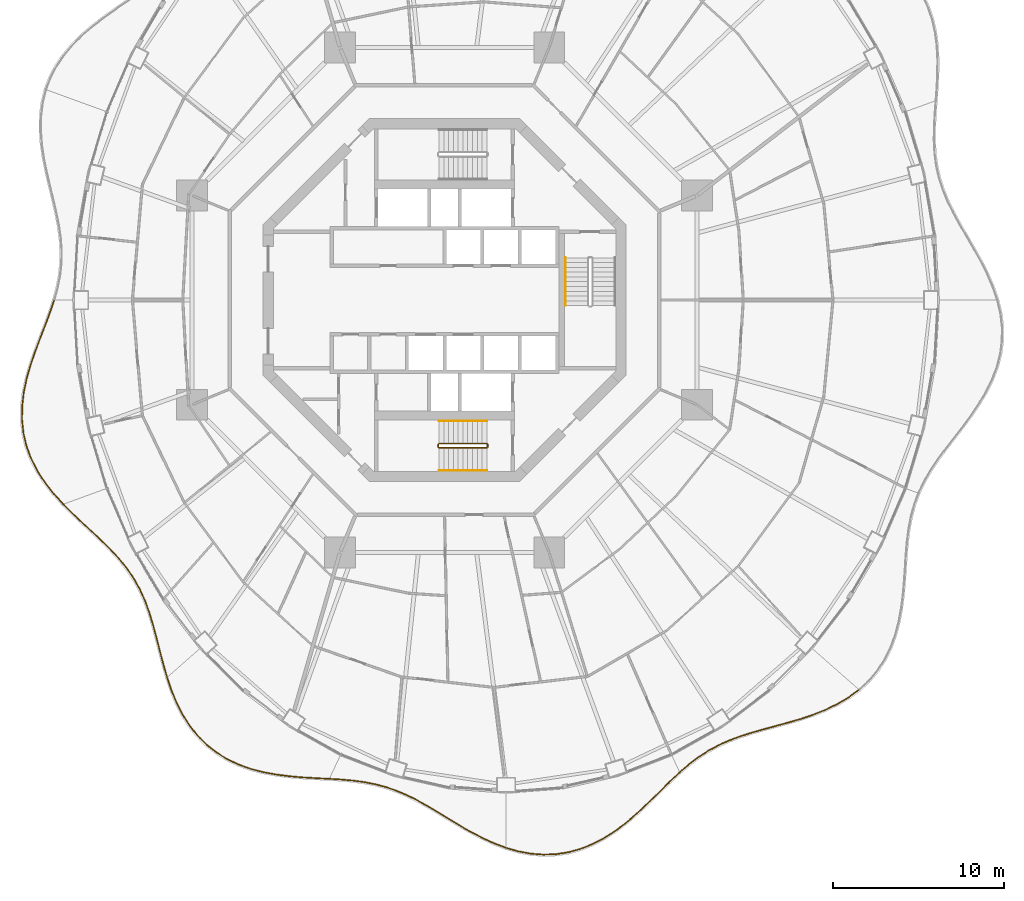
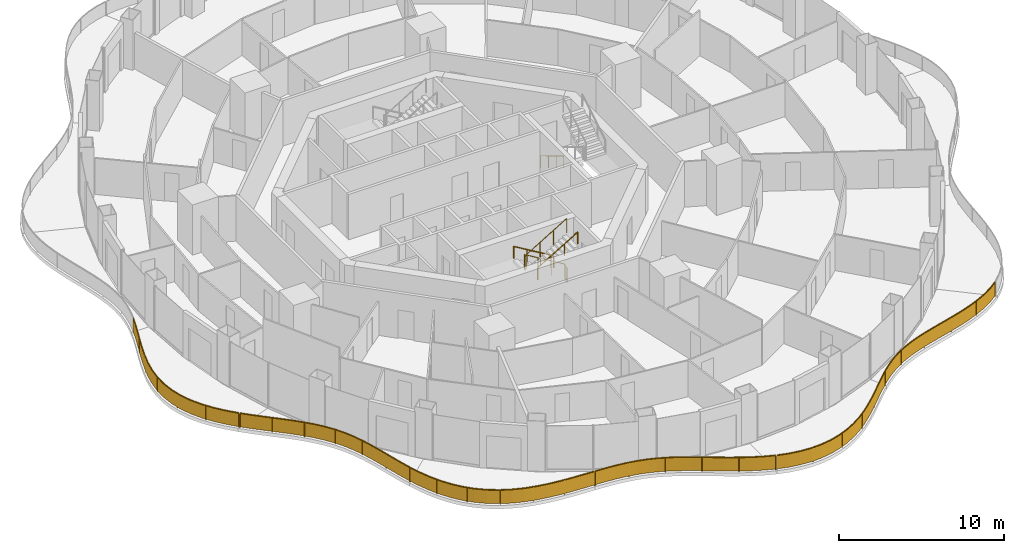
# One storey, part 17 of 19: 10 railings.
"""IFC4 building model written with IfcOpenShell, lengths in metres."""

from ifc_helpers import new_model, si_unit, direction, frame, origin, origin_2d, place, context, subcontext, project, spatial, polyline, rectangle, circle, outline, extrude, material, type_object, element, save


model = new_model("IFC4")

# Units and contexts
model_context = context("Model", 3, precision=1e-05, world=origin(), true_north=direction((0.0, 1.0)))
body_context = subcontext(model_context, "Body", "Model", "MODEL_VIEW")
ifc_project = project(units=[si_unit("LENGTHUNIT", "METRE"), si_unit("AREAUNIT", "SQUARE_METRE"), si_unit("VOLUMEUNIT", "CUBIC_METRE"), si_unit("PLANEANGLEUNIT", "RADIAN"), si_unit("MASSUNIT", "GRAM", prefix="KILO")], contexts=[model_context])

# Site, building, storey
site_placement = place(None, origin())
site = spatial("IfcSite", under=ifc_project, at=site_placement, CompositionType="ELEMENT")
building_placement = place(site_placement, origin())
building = spatial("IfcBuilding", under=site, at=building_placement, Name="Nagisa Residences", CompositionType="ELEMENT")
storey_placement = place(building_placement, frame((0.0, 0.0, 202.89990234375)))
storey = spatial("IfcBuildingStorey", under=building, at=storey_placement, Name="L51", CompositionType="ELEMENT", Elevation=202.89990234375)

# Railings
ifc_material_1 = material(Name="Stainless steel 316", Category="steel")
railing_type_1 = type_object("IfcRailingType", Name="BALCONY GUARD 1100", PredefinedType="BALUSTRADE", material=ifc_material_1)
railing_1_placement = place(storey_placement, frame((-22.86865234375, -0.0341796875, 0.0)))
element("IfcRailing", 1, at=railing_1_placement, inside=storey, type_object=railing_type_1, Name="guard:L51:bal08-0", PredefinedType="BALUSTRADE", context=body_context, shape_type="SweptSolid", body=[
    extrude(outline(polyline([(-0.210205078125, -0.703125), (0.023681640625, -0.008056640625), (-0.023681640625, 0.008056640625), (-0.257568359375, -0.6865234375), (-0.536376953125, -1.434326171875), (-0.8310546875, -2.197265625), (-1.12255859375, -2.975341796875), (-1.391845703125, -3.7666015625), (-1.621337890625, -4.554931640625), (-1.7900390625, -5.36328125), (-1.885009765625, -6.171630859375), (-1.894287109375, -6.974609375), (-1.8095703125, -7.764404296875), (-1.631591796875, -8.52197265625), (-1.355224609375, -9.267822265625), (-0.9892578125, -9.98486328125), (-0.5439453125, -10.669921875), (-0.03271484375, -11.322021484375), (0.4990234375, -11.90771484375), (0.5361328125, -11.8740234375), (0.00537109375, -11.289794921875), (-0.50341796875, -10.640625), (-0.94580078125, -9.9599609375), (-1.309326171875, -9.247802734375), (-1.583740234375, -8.50732421875), (-1.76025390625, -7.756103515625), (-1.843994140625, -6.97216796875), (-1.835205078125, -6.175048828125), (-1.74072265625, -5.37109375), (-1.572509765625, -4.567138671875), (-1.343994140625, -3.78173828125), (-1.0751953125, -2.991943359375), (-0.7841796875, -2.21484375), (-0.489501953125, -1.451904296875), (-0.210205078125, -0.703125)])), frame((0.0, 0.0, 1.050048828125)), (0.0, 0.0, 1.0), 0.050048828125),
    extrude(outline(polyline([(-0.227294921875, -0.697265625), (0.006591796875, -0.002197265625), (-0.006591796875, 0.002197265625), (-0.240478515625, -0.6923828125), (-0.51953125, -1.440673828125), (-0.814208984375, -2.20361328125), (-1.10546875, -2.981201171875), (-1.37451171875, -3.77197265625), (-1.603759765625, -4.559326171875), (-1.772216796875, -5.365966796875), (-1.8671875, -6.1728515625), (-1.876220703125, -6.9736328125), (-1.791748046875, -7.761474609375), (-1.614501953125, -8.5166015625), (-1.338623046875, -9.2607421875), (-0.9736328125, -9.975830078125), (-0.529296875, -10.659423828125), (-0.01904296875, -11.310546875), (0.512451171875, -11.8955078125), (0.522705078125, -11.88623046875), (-0.00830078125, -11.30126953125), (-0.51806640625, -10.651123046875), (-0.96142578125, -9.968994140625), (-1.325927734375, -9.2548828125), (-1.600830078125, -8.5126953125), (-1.778076171875, -7.759033203125), (-1.862060546875, -6.97314453125), (-1.85302734375, -6.173828125), (-1.758544921875, -5.368408203125), (-1.590087890625, -4.562744140625), (-1.361328125, -3.7763671875), (-1.09228515625, -2.986083984375), (-0.801025390625, -2.20849609375), (-0.50634765625, -1.445556640625), (-0.227294921875, -0.697265625)])), frame((0.0, 0.0, 0.06005859375)), (0.0, 0.0, 1.0), 0.989990234375),
    extrude(rectangle(XDim=0.0400390625, YDim=0.0400390625, at=origin_2d()), origin(), (0.0, 0.0, 1.0), 1.050048828125),
    extrude(rectangle(XDim=0.0400390625, YDim=0.0400390625, at=origin_2d()), frame((-0.7333984375, -2.013916015625, 0.0)), (0.0, 0.0, 1.0), 1.050048828125),
    extrude(rectangle(XDim=0.0400390625, YDim=0.0400390625, at=origin_2d()), frame((-1.444091796875, -4.03564453125, 0.0)), (0.0, 0.0, 1.0), 1.050048828125),
    extrude(rectangle(XDim=0.0400390625, YDim=0.0400390625, at=origin_2d()), frame((-1.855712890625, -6.135009765625, 0.0)), (0.0, 0.0, 1.0), 1.050048828125),
    extrude(rectangle(XDim=0.0400390625, YDim=0.0400390625, at=origin_2d()), frame((-1.66748046875, -8.26025390625, 0.0)), (0.0, 0.0, 1.0), 1.050048828125),
    extrude(rectangle(XDim=0.0400390625, YDim=0.0400390625, at=origin_2d()), frame((-0.810791015625, -10.213623046875, 0.0)), (0.0, 0.0, 1.0), 1.050048828125),
    extrude(rectangle(XDim=0.0400390625, YDim=0.0400390625, at=origin_2d()), frame((0.517578125, -11.890869140625, 0.0)), (0.0, 0.0, 1.0), 1.050048828125),
])
railing_2_placement = place(storey_placement, frame((-22.297119140625, -11.97998046875, 0.0)))
element("IfcRailing", 2, at=railing_2_placement, inside=storey, type_object=railing_type_1, Name="guard:L51:bal09-0", PredefinedType="BALUSTRADE", context=body_context, shape_type="SweptSolid", body=[
    extrude(outline(polyline([(0.560302734375, -0.52294921875), (0.017578125, 0.017822265625), (-0.017578125, -0.017822265625), (0.525634765625, -0.55908203125), (1.11279296875, -1.11328125), (1.69677734375, -1.652587890625), (2.262451171875, -2.18505859375), (2.79638671875, -2.71826171875), (3.28173828125, -3.248046875), (3.724853515625, -3.8076171875), (4.115478515625, -4.391845703125), (4.454345703125, -5.006103515625), (4.744873046875, -5.653564453125), (4.986328125, -6.32373046875), (5.204833984375, -7.039794921875), (5.4052734375, -7.78564453125), (5.600341796875, -8.55419921875), (5.804931640625, -9.336669921875), (6.018310546875, -10.07861328125), (6.066650390625, -10.06494140625), (5.853271484375, -9.323486328125), (5.648681640625, -8.54150390625), (5.45361328125, -7.77294921875), (5.253173828125, -7.026123046875), (5.03369140625, -6.30810546875), (4.791259765625, -5.635009765625), (4.499267578125, -4.983642578125), (4.158447265625, -4.365966796875), (3.765380859375, -3.7783203125), (3.31982421875, -3.21533203125), (2.83251953125, -2.68359375), (2.297119140625, -2.14892578125), (1.73095703125, -1.615966796875), (1.14697265625, -1.07666015625), (0.560302734375, -0.52294921875)])), frame((0.0, 0.0, 1.050048828125)), (0.0, 0.0, 1.0), 0.050048828125),
    extrude(outline(polyline([(0.5478515625, -0.535888671875), (0.0048828125, 0.0048828125), (-0.0048828125, -0.0048828125), (0.5380859375, -0.546142578125), (1.125, -1.10009765625), (1.708984375, -1.639404296875), (2.27490234375, -2.172119140625), (2.809326171875, -2.705810546875), (3.29541015625, -3.236328125), (3.739501953125, -3.797119140625), (4.130859375, -4.382568359375), (4.470458984375, -4.998046875), (4.761474609375, -5.64697265625), (5.00341796875, -6.318115234375), (5.22216796875, -7.034912109375), (5.422607421875, -7.781005859375), (5.61767578125, -8.549560546875), (5.822265625, -9.33203125), (6.03564453125, -10.07373046875), (6.04931640625, -10.06982421875), (5.8359375, -9.328125), (5.63134765625, -8.546142578125), (5.436279296875, -7.777587890625), (5.23583984375, -7.031005859375), (5.0166015625, -6.313720703125), (4.774658203125, -5.6416015625), (4.483154296875, -4.99169921875), (4.14306640625, -4.375244140625), (3.750732421875, -3.788818359375), (3.30615234375, -3.22705078125), (2.819580078125, -2.696044921875), (2.28466796875, -2.161865234375), (1.71875, -1.629150390625), (1.134765625, -1.08984375), (0.5478515625, -0.535888671875)])), frame((0.0, 0.0, 0.06005859375)), (0.0, 0.0, 1.0), 0.989990234375),
    extrude(rectangle(XDim=0.0400390625, YDim=0.0400390625, at=origin_2d()), origin(), (0.0, 0.0, 1.0), 1.050048828125),
    extrude(rectangle(XDim=0.0400390625, YDim=0.0400390625, at=origin_2d()), frame((1.451416015625, -1.391845703125, 0.0)), (0.0, 0.0, 1.0), 1.050048828125),
    extrude(rectangle(XDim=0.0400390625, YDim=0.0400390625, at=origin_2d()), frame((2.896240234375, -2.7900390625, 0.0)), (0.0, 0.0, 1.0), 1.050048828125),
    extrude(rectangle(XDim=0.0400390625, YDim=0.0400390625, at=origin_2d()), frame((4.13232421875, -4.371826171875, 0.0)), (0.0, 0.0, 1.0), 1.050048828125),
    extrude(rectangle(XDim=0.0400390625, YDim=0.0400390625, at=origin_2d()), frame((4.967041015625, -6.197021484375, 0.0)), (0.0, 0.0, 1.0), 1.050048828125),
    extrude(rectangle(XDim=0.0400390625, YDim=0.0400390625, at=origin_2d()), frame((5.5185546875, -8.13037109375, 0.0)), (0.0, 0.0, 1.0), 1.050048828125),
    extrude(rectangle(XDim=0.0400390625, YDim=0.0400390625, at=origin_2d()), frame((6.04248046875, -10.07177734375, 0.0)), (0.0, 0.0, 1.0), 1.050048828125),
])
railing_3_placement = place(storey_placement, frame((-16.23291015625, -22.12548828125, 0.0)))
element("IfcRailing", 3, at=railing_3_placement, inside=storey, type_object=railing_type_1, Name="guard:L51:bal10-0", PredefinedType="BALUSTRADE", context=body_context, shape_type="SweptSolid", body=[
    extrude(outline(polyline([(0.258056640625, -0.688232421875), (0.023681640625, 0.008056640625), (-0.023681640625, -0.008056640625), (0.211181640625, -0.705810546875), (0.507080078125, -1.4267578125), (0.8544921875, -2.1162109375), (1.259521484375, -2.763916015625), (1.725341796875, -3.35986328125), (2.239990234375, -3.885009765625), (2.825927734375, -4.35498046875), (3.465576171875, -4.755126953125), (4.152587890625, -5.0849609375), (4.878662109375, -5.346923828125), (5.62109375, -5.53759765625), (6.3935546875, -5.6806640625), (7.1767578125, -5.77978515625), (7.95947265625, -5.845947265625), (8.733154296875, -5.891845703125), (9.446533203125, -5.927001953125), (9.448974609375, -5.877197265625), (8.736083984375, -5.842041015625), (7.962890625, -5.796142578125), (7.18212890625, -5.72998046875), (6.4013671875, -5.63134765625), (5.6318359375, -5.48876953125), (4.893310546875, -5.299072265625), (4.172119140625, -5.03857421875), (3.489990234375, -4.711181640625), (2.854736328125, -4.31396484375), (2.273681640625, -3.847900390625), (1.762939453125, -3.32666015625), (1.300537109375, -2.735107421875), (0.89794921875, -2.091796875), (0.552490234375, -1.40576171875), (0.258056640625, -0.688232421875)])), frame((0.0, 0.0, 1.050048828125)), (0.0, 0.0, 1.0), 0.050048828125),
    extrude(outline(polyline([(0.2412109375, -0.694580078125), (0.006591796875, 0.002197265625), (-0.006591796875, -0.002197265625), (0.22802734375, -0.699462890625), (0.5234375, -1.419189453125), (0.8701171875, -2.107421875), (1.274169921875, -2.75341796875), (1.73876953125, -3.347900390625), (2.252197265625, -3.87158203125), (2.836181640625, -4.340087890625), (3.474365234375, -4.7392578125), (4.15966796875, -5.068115234375), (4.884033203125, -5.32958984375), (5.625, -5.52001953125), (6.396484375, -5.662841796875), (7.1787109375, -5.761962890625), (7.960693359375, -5.828125), (8.734130859375, -5.8740234375), (9.447509765625, -5.9091796875), (9.447998046875, -5.89501953125), (8.735107421875, -5.85986328125), (7.961669921875, -5.81396484375), (7.18017578125, -5.747802734375), (6.3984375, -5.649169921875), (5.6279296875, -5.50634765625), (4.887939453125, -5.31640625), (4.1650390625, -5.055419921875), (3.481201171875, -4.72705078125), (2.844482421875, -4.328857421875), (2.261474609375, -3.861328125), (1.74951171875, -3.338623046875), (1.285888671875, -2.74560546875), (0.88232421875, -2.1005859375), (0.5361328125, -1.413330078125), (0.2412109375, -0.694580078125)])), frame((0.0, 0.0, 0.06005859375)), (0.0, 0.0, 1.0), 0.989990234375),
    extrude(rectangle(XDim=0.0400390625, YDim=0.0400390625, at=origin_2d()), origin(), (0.0, 0.0, 1.0), 1.050048828125),
    extrude(rectangle(XDim=0.0400390625, YDim=0.0400390625, at=origin_2d()), frame((0.76171875, -1.87646484375, 0.0)), (0.0, 0.0, 1.0), 1.050048828125),
    extrude(rectangle(XDim=0.0400390625, YDim=0.0400390625, at=origin_2d()), frame((1.925048828125, -3.52783203125, 0.0)), (0.0, 0.0, 1.0), 1.050048828125),
    extrude(rectangle(XDim=0.0400390625, YDim=0.0400390625, at=origin_2d()), frame((3.526611328125, -4.756591796875, 0.0)), (0.0, 0.0, 1.0), 1.050048828125),
    extrude(rectangle(XDim=0.0400390625, YDim=0.0400390625, at=origin_2d()), frame((5.42236328125, -5.460693359375, 0.0)), (0.0, 0.0, 1.0), 1.050048828125),
    extrude(rectangle(XDim=0.0400390625, YDim=0.0400390625, at=origin_2d()), frame((7.423583984375, -5.775634765625, 0.0)), (0.0, 0.0, 1.0), 1.050048828125),
    extrude(rectangle(XDim=0.0400390625, YDim=0.0400390625, at=origin_2d()), frame((9.44775390625, -5.902099609375, 0.0)), (0.0, 0.0, 1.0), 1.050048828125),
])
railing_4_placement = place(storey_placement, frame((-6.710205078125, -28.02978515625, 0.0)))
element("IfcRailing", 4, at=railing_4_placement, inside=storey, type_object=railing_type_1, Name="guard:L51:bal11-0", PredefinedType="BALUSTRADE", context=body_context, shape_type="SweptSolid", body=[
    extrude(outline(polyline([(0.668701171875, -0.015625), (0.00146484375, 0.02490234375), (-0.00146484375, -0.02490234375), (0.664794921875, -0.0654296875), (1.354736328125, -0.12841796875), (2.0224609375, -0.21923828125), (2.669189453125, -0.345947265625), (3.29736328125, -0.51416015625), (3.89453125, -0.7216796875), (4.499267578125, -0.97900390625), (5.100341796875, -1.2783203125), (5.703857421875, -1.614013671875), (6.315185546875, -1.977783203125), (6.921142578125, -2.356201171875), (7.561279296875, -2.74267578125), (8.219970703125, -3.120849609375), (8.8984375, -3.47607421875), (9.59619140625, -3.794921875), (10.265380859375, -4.048828125), (10.282958984375, -4.001953125), (9.61572265625, -3.74853515625), (8.92041015625, -3.43115234375), (8.243896484375, -3.076904296875), (7.586669921875, -2.69970703125), (6.947509765625, -2.313720703125), (6.341064453125, -1.934814453125), (5.728759765625, -1.570556640625), (5.123779296875, -1.23388671875), (4.520263671875, -0.93359375), (3.91259765625, -0.6748046875), (3.31201171875, -0.46630859375), (2.680419921875, -0.297119140625), (2.03076171875, -0.169921875), (1.360595703125, -0.07861328125), (0.668701171875, -0.015625)])), frame((0.0, 0.0, 1.050048828125)), (0.0, 0.0, 1.0), 0.050048828125),
    extrude(outline(polyline([(0.667236328125, -0.033447265625), (0.00048828125, 0.007080078125), (-0.00048828125, -0.007080078125), (0.666259765625, -0.047607421875), (1.35693359375, -0.1103515625), (2.025390625, -0.201416015625), (2.67333984375, -0.328369140625), (3.302734375, -0.496826171875), (3.901123046875, -0.704833984375), (4.5068359375, -0.962646484375), (5.10888671875, -1.26220703125), (5.712890625, -1.598388671875), (6.324462890625, -1.962158203125), (6.9306640625, -2.3408203125), (7.5703125, -2.727294921875), (8.228515625, -3.10498046875), (8.90625, -3.4599609375), (9.603271484375, -3.778076171875), (10.271728515625, -4.031982421875), (10.276611328125, -4.018798828125), (9.608642578125, -3.765380859375), (8.91259765625, -3.447265625), (8.2353515625, -3.0927734375), (7.57763671875, -2.715087890625), (6.93798828125, -2.3291015625), (6.331787109375, -1.950439453125), (5.7197265625, -1.586181640625), (5.115234375, -1.25), (4.5126953125, -0.949951171875), (3.906005859375, -0.691650390625), (3.306640625, -0.483642578125), (2.67626953125, -0.314697265625), (2.02783203125, -0.187744140625), (1.3583984375, -0.0966796875), (0.667236328125, -0.033447265625)])), frame((0.0, 0.0, 0.06005859375)), (0.0, 0.0, 1.0), 0.989990234375),
    extrude(rectangle(XDim=0.0400390625, YDim=0.0400390625, at=origin_2d()), origin(), (0.0, 0.0, 1.0), 1.050048828125),
    extrude(rectangle(XDim=0.0400390625, YDim=0.0400390625, at=origin_2d()), frame((2.222900390625, -0.23291015625, 0.0)), (0.0, 0.0, 1.0), 1.050048828125),
    extrude(rectangle(XDim=0.0400390625, YDim=0.0400390625, at=origin_2d()), frame((4.354736328125, -0.890380859375, 0.0)), (0.0, 0.0, 1.0), 1.050048828125),
    extrude(rectangle(XDim=0.0400390625, YDim=0.0400390625, at=origin_2d()), frame((6.3212890625, -1.9521484375, 0.0)), (0.0, 0.0, 1.0), 1.050048828125),
    extrude(rectangle(XDim=0.0400390625, YDim=0.0400390625, at=origin_2d()), frame((8.2392578125, -3.102783203125, 0.0)), (0.0, 0.0, 1.0), 1.050048828125),
    extrude(rectangle(XDim=0.0400390625, YDim=0.0400390625, at=origin_2d()), frame((10.274169921875, -4.025390625, 0.0)), (0.0, 0.0, 1.0), 1.050048828125),
])
railing_5_placement = place(storey_placement, frame((3.63720703125, -32.080078125, 0.0)))
element("IfcRailing", 5, at=railing_5_placement, inside=storey, type_object=railing_type_1, Name="guard:L51:bal12-0", PredefinedType="BALUSTRADE", context=body_context, shape_type="SweptSolid", body=[
    extrude(outline(polyline([(0.68603515625, -0.171142578125), (0.0068359375, 0.024169921875), (-0.0068359375, -0.024169921875), (0.6748046875, -0.219970703125), (1.41259765625, -0.355224609375), (2.153564453125, -0.411376953125), (2.89208984375, -0.3837890625), (3.619384765625, -0.271240234375), (4.31787109375, -0.078125), (5.011474609375, 0.1962890625), (5.68115234375, 0.541259765625), (6.323486328125, 0.947265625), (6.937744140625, 1.402587890625), (7.50732421875, 1.888916015625), (8.068359375, 2.40234375), (8.608154296875, 2.9248046875), (9.13134765625, 3.442626953125), (9.64453125, 3.9443359375), (10.12109375, 4.390625), (10.0869140625, 4.42724609375), (9.60986328125, 3.98046875), (9.09619140625, 3.478271484375), (8.572998046875, 2.96044921875), (8.0341796875, 2.43896484375), (7.47412109375, 1.926513671875), (6.906494140625, 1.441650390625), (6.295166015625, 0.98876953125), (5.65625, 0.584716796875), (4.990966796875, 0.24169921875), (4.3017578125, -0.03076171875), (3.608642578125, -0.222412109375), (2.88720703125, -0.333984375), (2.154541015625, -0.361083984375), (1.4189453125, -0.305419921875), (0.68603515625, -0.171142578125)])), frame((0.0, 0.0, 1.050048828125)), (0.0, 0.0, 1.0), 0.050048828125),
    extrude(outline(polyline([(0.68212890625, -0.188720703125), (0.001953125, 0.0068359375), (-0.001953125, -0.0068359375), (0.6787109375, -0.202392578125), (1.414794921875, -0.337158203125), (2.15380859375, -0.393310546875), (2.890380859375, -0.365966796875), (3.615478515625, -0.253662109375), (4.31201171875, -0.06103515625), (5.004150390625, 0.212646484375), (5.672119140625, 0.556884765625), (6.313232421875, 0.962158203125), (6.926513671875, 1.416748046875), (7.495361328125, 1.902587890625), (8.05615234375, 2.41552734375), (8.595458984375, 2.937744140625), (9.11865234375, 3.45556640625), (9.632080078125, 3.957275390625), (10.10888671875, 4.40380859375), (10.09912109375, 4.4140625), (9.622314453125, 3.967529296875), (9.10888671875, 3.46533203125), (8.585693359375, 2.947509765625), (8.04638671875, 2.42578125), (7.486083984375, 1.912841796875), (6.917724609375, 1.427490234375), (6.305419921875, 0.973876953125), (5.665283203125, 0.569091796875), (4.998291015625, 0.225341796875), (4.3076171875, -0.0478515625), (3.612548828125, -0.239990234375), (2.888916015625, -0.351806640625), (2.154296875, -0.379150390625), (1.416748046875, -0.323486328125), (0.68212890625, -0.188720703125)])), frame((0.0, 0.0, 0.06005859375)), (0.0, 0.0, 1.0), 0.989990234375),
    extrude(rectangle(XDim=0.0400390625, YDim=0.0400390625, at=origin_2d()), origin(), (0.0, 0.0, 1.0), 1.050048828125),
    extrude(rectangle(XDim=0.0400390625, YDim=0.0400390625, at=origin_2d()), frame((2.3115234375, -0.38037109375, 0.0)), (0.0, 0.0, 1.0), 1.050048828125),
    extrude(rectangle(XDim=0.0400390625, YDim=0.0400390625, at=origin_2d()), frame((4.607421875, 0.063232421875, 0.0)), (0.0, 0.0, 1.0), 1.050048828125),
    extrude(rectangle(XDim=0.0400390625, YDim=0.0400390625, at=origin_2d()), frame((6.647705078125, 1.21875, 0.0)), (0.0, 0.0, 1.0), 1.050048828125),
    extrude(rectangle(XDim=0.0400390625, YDim=0.0400390625, at=origin_2d()), frame((8.413818359375, 2.771484375, 0.0)), (0.0, 0.0, 1.0), 1.050048828125),
    extrude(rectangle(XDim=0.0400390625, YDim=0.0400390625, at=origin_2d()), frame((10.10400390625, 4.408935546875, 0.0)), (0.0, 0.0, 1.0), 1.050048828125),
])
railing_6_placement = place(storey_placement, frame((13.7939453125, -27.62109375, 0.0)))
element("IfcRailing", 6, at=railing_6_placement, inside=storey, type_object=railing_type_1, Name="guard:L51:bal13-0", PredefinedType="BALUSTRADE", context=body_context, shape_type="SweptSolid", body=[
    extrude(outline(polyline([(0.484375, 0.448974609375), (-0.016357421875, 0.01904296875), (0.016357421875, -0.01904296875), (0.515625, 0.409912109375), (1.06103515625, 0.823974609375), (1.62548828125, 1.19287109375), (2.214599609375, 1.5166015625), (2.83251953125, 1.798828125), (3.46728515625, 2.03662109375), (4.146240234375, 2.256591796875), (4.852783203125, 2.45947265625), (5.5810546875, 2.656982421875), (6.323974609375, 2.86083984375), (7.06005859375, 3.07275390625), (7.80322265625, 3.32470703125), (8.529296875, 3.615966796875), (9.22705078125, 3.955078125), (9.885009765625, 4.34765625), (10.455078125, 4.767578125), (10.42529296875, 4.80810546875), (9.857177734375, 4.38916015625), (9.203125, 3.9990234375), (8.5087890625, 3.661865234375), (7.78564453125, 3.37158203125), (7.044921875, 3.12060546875), (6.310302734375, 2.9091796875), (5.56787109375, 2.705322265625), (4.839111328125, 2.5078125), (4.131591796875, 2.304443359375), (3.45068359375, 2.083984375), (2.8134765625, 1.84521484375), (2.192138671875, 1.5615234375), (1.599609375, 1.23583984375), (1.0322265625, 0.864990234375), (0.484375, 0.448974609375)])), frame((0.0, 0.0, 1.050048828125)), (0.0, 0.0, 1.0), 0.050048828125),
    extrude(outline(polyline([(0.49560546875, 0.434814453125), (-0.004638671875, 0.00537109375), (0.004638671875, -0.00537109375), (0.50439453125, 0.424072265625), (1.05078125, 0.8388671875), (1.6162109375, 1.208251953125), (2.20654296875, 1.53271484375), (2.82568359375, 1.815673828125), (3.461181640625, 2.0537109375), (4.140869140625, 2.27392578125), (4.847900390625, 2.476806640625), (5.576416015625, 2.67431640625), (6.319091796875, 2.878173828125), (7.0546875, 3.090087890625), (7.796875, 3.341552734375), (8.52197265625, 3.632568359375), (9.218505859375, 3.970947265625), (9.875, 4.362548828125), (10.4443359375, 4.7822265625), (10.43603515625, 4.79345703125), (9.8671875, 4.374267578125), (9.211669921875, 3.983154296875), (8.51611328125, 3.645263671875), (7.7919921875, 3.354736328125), (7.05029296875, 3.103271484375), (6.315185546875, 2.891845703125), (5.572509765625, 2.68798828125), (4.843994140625, 2.490478515625), (4.136962890625, 2.287109375), (3.456787109375, 2.06689453125), (2.8203125, 1.828369140625), (2.2001953125, 1.54541015625), (1.60888671875, 1.220458984375), (1.04248046875, 0.85009765625), (0.49560546875, 0.434814453125)])), frame((0.0, 0.0, 0.06005859375)), (0.0, 0.0, 1.0), 0.989990234375),
    extrude(rectangle(XDim=0.0400390625, YDim=0.0400390625, at=origin_2d()), origin(), (0.0, 0.0, 1.0), 1.050048828125),
    extrude(rectangle(XDim=0.0400390625, YDim=0.0400390625, at=origin_2d()), frame((1.875, 1.358642578125, 0.0)), (0.0, 0.0, 1.0), 1.050048828125),
    extrude(rectangle(XDim=0.0400390625, YDim=0.0400390625, at=origin_2d()), frame((4.0166015625, 2.240966796875, 0.0)), (0.0, 0.0, 1.0), 1.050048828125),
    extrude(rectangle(XDim=0.0400390625, YDim=0.0400390625, at=origin_2d()), frame((6.25146484375, 2.866943359375, 0.0)), (0.0, 0.0, 1.0), 1.050048828125),
    extrude(rectangle(XDim=0.0400390625, YDim=0.0400390625, at=origin_2d()), frame((8.4482421875, 3.6103515625, 0.0)), (0.0, 0.0, 1.0), 1.050048828125),
    extrude(rectangle(XDim=0.0400390625, YDim=0.0400390625, at=origin_2d()), frame((10.440185546875, 4.787841796875, 0.0)), (0.0, 0.0, 1.0), 1.050048828125),
])
ifc_material_2 = material(Name="Stainless steel", Category="steel")
railing_type_2 = type_object("IfcRailingType", Name="Stair guard 1100", PredefinedType="GUARDRAIL", material=ifc_material_2)
railing_7_placement = place(storey_placement, frame((2.52490234375, -8.599609375, 0.0)))
element("IfcRailing", 7, at=railing_7_placement, inside=storey, type_object=railing_type_2, Name="L51 ST-S stair guard 1", PredefinedType="GUARDRAIL", context=body_context, shape_type="SweptSolid", body=[
    extrude(circle(Radius=0.02392578125, at=origin_2d()), frame((0.0, 0.0, 1.076171875), z_axis=(0.0, 1.0, 0.0), x_axis=(-1.0, 0.0, 0.0)), (0.0, 0.0, 1.0), 0.14990234375),
    extrude(circle(Radius=0.02392578125, at=origin_2d()), frame((0.0, 0.14990234375, 1.076171875), z_axis=(-0.273006030465, 0.27434429532, 0.922064485248), x_axis=(-0.708833529934, -0.705375805398, 0.0)), (0.0, 0.0, 1.0), 0.182373046875),
    extrude(circle(Radius=0.02392578125, at=origin_2d()), frame((-0.0498046875, 0.199951171875, 1.244140625), z_axis=(-0.857242210791, 0.0, 0.514913383045), x_axis=(0.0, -1.0, 0.0)), (0.0, 0.0, 1.0), 3.266357421875),
    extrude(circle(Radius=0.02392578125, at=origin_2d()), frame((-2.849853515625, 0.199951171875, 2.92626953125), z_axis=(-0.707106781187, -0.707106781187, 0.0), x_axis=(0.707106781187, -0.707106781187, 0.0)), (0.0, 0.0, 1.0), 0.07080078125),
    extrude(circle(Radius=0.02392578125, at=origin_2d()), frame((-2.89990234375, 0.14990234375, 2.92626953125), z_axis=(0.0, -1.0, 0.0), x_axis=(1.0, 0.0, 0.0)), (0.0, 0.0, 1.0), 0.14990234375),
    extrude(circle(Radius=0.02392578125, at=origin_2d()), frame((-2.89990234375, 0.0, 2.92626953125), z_axis=(0.274243871929, -0.274243871929, 0.92172696468), x_axis=(0.707106781187, 0.707106781187, 0.0)), (0.0, 0.0, 1.0), 0.1826171875),
    extrude(circle(Radius=0.02392578125, at=origin_2d()), frame((-2.849853515625, -0.050048828125, 3.09423828125), z_axis=(0.857242210791, 0.0, 0.514913383045), x_axis=(0.0, 1.0, 0.0)), (0.0, 0.0, 1.0), 3.266357421875),
    extrude(circle(Radius=0.02099609375, at=origin_2d()), origin(), (0.0, 0.0, 1.0), 1.052001953125),
    extrude(circle(Radius=0.02099609375, at=origin_2d()), frame((0.0, 0.14990234375, 0.0)), (0.0, 0.0, 1.0), 1.052001953125),
    extrude(circle(Radius=0.02099609375, at=origin_2d()), frame((-0.0498046875, 0.199951171875, 0.168212890625)), (0.0, 0.0, 1.0), 1.052001953125),
    extrude(circle(Radius=0.02099609375, at=origin_2d()), frame((-0.983154296875, 0.199951171875, 0.728759765625)), (0.0, 0.0, 1.0), 1.052001953125),
    extrude(circle(Radius=0.02099609375, at=origin_2d()), frame((-1.91650390625, 0.199951171875, 1.28955078125)), (0.0, 0.0, 1.0), 1.052001953125),
    extrude(circle(Radius=0.02099609375, at=origin_2d()), frame((-2.849853515625, 0.199951171875, 1.85009765625)), (0.0, 0.0, 1.0), 1.052001953125),
    extrude(circle(Radius=0.02099609375, at=origin_2d()), frame((-2.89990234375, 0.14990234375, 1.85009765625)), (0.0, 0.0, 1.0), 1.052001953125),
    extrude(circle(Radius=0.02099609375, at=origin_2d()), frame((-2.89990234375, 0.0, 1.85009765625)), (0.0, 0.0, 1.0), 1.052001953125),
    extrude(circle(Radius=0.02099609375, at=origin_2d()), frame((-2.849853515625, -0.050048828125, 2.018310546875)), (0.0, 0.0, 1.0), 1.052001953125),
    extrude(circle(Radius=0.02099609375, at=origin_2d()), frame((-1.91650390625, -0.050048828125, 2.578857421875)), (0.0, 0.0, 1.0), 1.052001953125),
    extrude(circle(Radius=0.02099609375, at=origin_2d()), frame((-0.983154296875, -0.050048828125, 3.1396484375)), (0.0, 0.0, 1.0), 1.052001953125),
    extrude(circle(Radius=0.02099609375, at=origin_2d()), frame((-0.0498046875, -0.050048828125, 3.7001953125)), (0.0, 0.0, 1.0), 1.052001953125),
])
ifc_material_3 = material(Name="Stainless steel", Category="steel")
railing_type_3 = type_object("IfcRailingType", Name="Stair handrail 900", PredefinedType="HANDRAIL", material=ifc_material_3)
railing_8_placement = place(storey_placement, frame((7.07470703125, 2.47509765625, 0.168212890625)))
element("IfcRailing", 8, at=railing_8_placement, inside=storey, type_object=railing_type_3, Name="L51 ST-E stair handrail 1", PredefinedType="HANDRAIL", context=body_context, shape_type="SweptSolid", body=[
    extrude(circle(Radius=0.02392578125, at=origin_2d()), frame((0.0, 0.0, 0.8759765625), z_axis=(0.0, -0.857242210791, 0.514913383045), x_axis=(1.0, 0.0, 0.0)), (0.0, 0.0, 1.0), 3.266357421875),
    extrude(circle(Radius=0.02099609375, at=origin_2d()), origin(), (0.0, 0.0, 1.0), 0.851806640625),
    extrude(circle(Radius=0.02099609375, at=origin_2d()), frame((0.0, -0.933349609375, 0.560546875)), (0.0, 0.0, 1.0), 0.851806640625),
    extrude(circle(Radius=0.02099609375, at=origin_2d()), frame((0.0, -1.86669921875, 1.121337890625)), (0.0, 0.0, 1.0), 0.851806640625),
    extrude(circle(Radius=0.02099609375, at=origin_2d()), frame((0.0, -2.800048828125, 1.681884765625)), (0.0, 0.0, 1.0), 0.851806640625),
])
railing_9_placement = place(storey_placement, frame((2.47509765625, -7.07470703125, 0.168212890625)))
element("IfcRailing", 9, at=railing_9_placement, inside=storey, type_object=railing_type_3, Name="L51 ST-S stair handrail 1", PredefinedType="HANDRAIL", context=body_context, shape_type="SweptSolid", body=[
    extrude(circle(Radius=0.02392578125, at=origin_2d()), frame((0.0, 0.0, 0.8759765625), z_axis=(-0.857242210791, 0.0, 0.514913383045), x_axis=(0.0, -1.0, 0.0)), (0.0, 0.0, 1.0), 3.266357421875),
    extrude(circle(Radius=0.02099609375, at=origin_2d()), origin(), (0.0, 0.0, 1.0), 0.851806640625),
    extrude(circle(Radius=0.02099609375, at=origin_2d()), frame((-0.933349609375, 0.0, 0.560546875)), (0.0, 0.0, 1.0), 0.851806640625),
    extrude(circle(Radius=0.02099609375, at=origin_2d()), frame((-1.86669921875, 0.0, 1.121337890625)), (0.0, 0.0, 1.0), 0.851806640625),
    extrude(circle(Radius=0.02099609375, at=origin_2d()), frame((-2.800048828125, 0.0, 1.681884765625)), (0.0, 0.0, 1.0), 0.851806640625),
])
railing_10_placement = place(storey_placement, frame((-0.324951171875, -9.974609375, 2.018310546875)))
element("IfcRailing", 10, at=railing_10_placement, inside=storey, type_object=railing_type_3, Name="L51 ST-S stair handrail 2", PredefinedType="HANDRAIL", context=body_context, shape_type="SweptSolid", body=[
    extrude(circle(Radius=0.02392578125, at=origin_2d()), frame((0.0, 0.0, 0.8759765625), z_axis=(0.857242210791, 0.0, 0.514913383045), x_axis=(0.0, 1.0, 0.0)), (0.0, 0.0, 1.0), 3.266357421875),
    extrude(circle(Radius=0.02099609375, at=origin_2d()), origin(), (0.0, 0.0, 1.0), 0.851806640625),
    extrude(circle(Radius=0.02099609375, at=origin_2d()), frame((0.933349609375, 0.0, 0.560546875)), (0.0, 0.0, 1.0), 0.851806640625),
    extrude(circle(Radius=0.02099609375, at=origin_2d()), frame((1.86669921875, 0.0, 1.121337890625)), (0.0, 0.0, 1.0), 0.851806640625),
    extrude(circle(Radius=0.02099609375, at=origin_2d()), frame((2.800048828125, 0.0, 1.681884765625)), (0.0, 0.0, 1.0), 0.851806640625),
])

save(model, "model.ifc")
